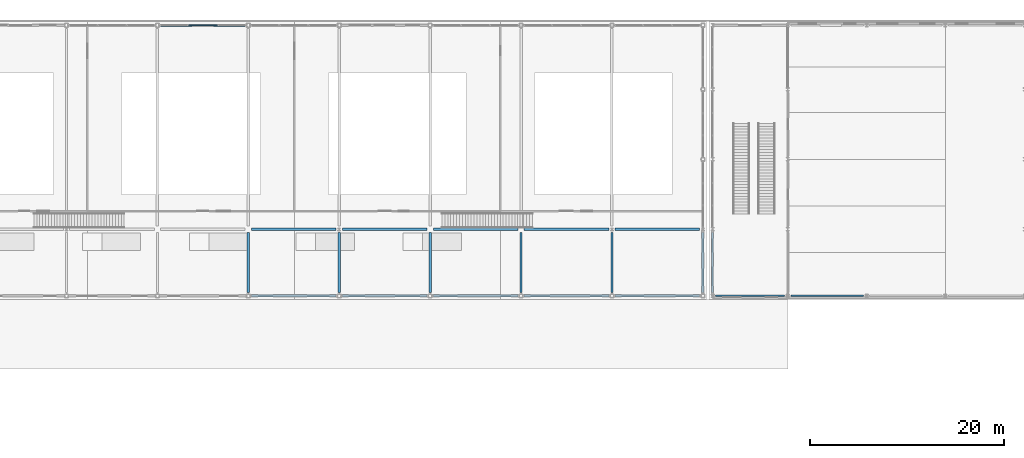
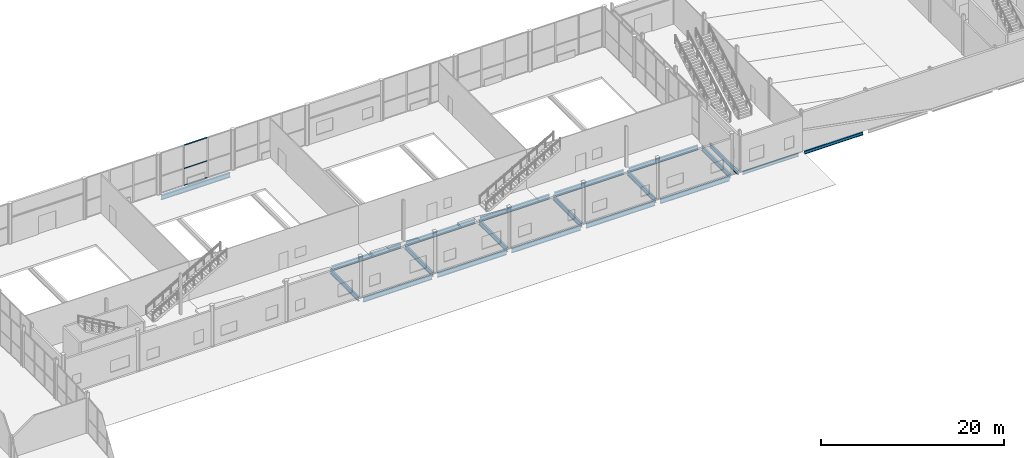
# One storey, part 42 of 83: 20 beams, 3 members, 1 element without a shape of its own.
"""IFC4 building model written with IfcOpenShell, lengths in metres."""

from ifc_helpers import new_model, si_unit, direction, frame, origin, origin_2d, place, context, subcontext, project, spatial, hollow_rectangle, i_section, extrude, material, layer, layer_set, material_profile, profile_set, type_object, element, aggregate, save


model = new_model("IFC4")

# Units and contexts
model_context = context("Model", 3, precision=1e-05, world=origin(), true_north=direction((0.0, 1.0)))
body_context = subcontext(model_context, "Body", "Model", "MODEL_VIEW")
ifc_project = project(units=[si_unit("LENGTHUNIT", "METRE"), si_unit("AREAUNIT", "SQUARE_METRE"), si_unit("VOLUMEUNIT", "CUBIC_METRE"), si_unit("PLANEANGLEUNIT", "RADIAN"), si_unit("MASSUNIT", "GRAM", prefix="KILO")], contexts=[model_context])

# Site, building, storey
site_placement = place(None, origin())
site = spatial("IfcSite", under=ifc_project, at=site_placement, CompositionType="ELEMENT")
building_placement = place(site_placement, origin())
building = spatial("IfcBuilding", under=site, at=building_placement, Name="Quillay Park Conservatory", CompositionType="ELEMENT")
storey_placement = place(building_placement, origin())
storey = spatial("IfcBuildingStorey", under=building, at=storey_placement, Name="L00", CompositionType="ELEMENT", Elevation=0.0)

# Curtain wall, members
ifc_material_1 = material(Name="Thermally Broken Anodised Aluminium 6063-T6", Category="aluminium")
ifc_layer = layer(ifc_material_1, 0.219970703125)
ifc_layer_set = layer_set([ifc_layer], Name="UNITISED CURTAIN WALL CONSERVATORY (Thermally Broken Anodised Aluminium 6063-T6)")
curtain_wall_type = type_object("IfcCurtainWallType", Name="UNITISED CURTAIN WALL CONSERVATORY", PredefinedType="USERDEFINED", material=ifc_layer_set)
curtain_wall_placement = place(storey_placement, origin())
curtain_wall = element("IfcCurtainWall", 1, at=curtain_wall_placement, inside=storey, type_object=curtain_wall_type, Name="L00 Unitised Curtain Wall 152", ObjectType="UNITISED CURTAIN WALL", PredefinedType="USERDEFINED")
ifc_material_2 = material(Name="Thermally Broken Anodised Aluminium 6063-T6", Category="aluminium")
ifc_material_profile_1 = material_profile(ifc_material_2, hollow_rectangle(XDim=0.070068359375, YDim=0.1298828125, WallThickness=0.003173828125, at=origin_2d()), Name="AL70x130x3.2")
ifc_profile_set_1 = profile_set([ifc_material_profile_1], Name="Thermally Broken Anodised Aluminium 6063-T6")
member_type = type_object("IfcMemberType", Name="CURTAIN WALL TRANSOM 70 X130", PredefinedType="USERDEFINED", material=ifc_profile_set_1)
member_1_placement = place(storey_placement, frame((61.9375, 113.39990234375, 0.034912109375), z_axis=(1.0, 0.0, 0.0), x_axis=(0.0, 1.0, 0.0)))
member_1 = element("IfcMember", 2, at=member_1_placement, type_object=member_type, Name="CW-C1 transom 2.1", ObjectType="TRANSOM", PredefinedType="USERDEFINED", context=body_context, shape_type="SweptSolid", body=[
    extrude(hollow_rectangle(XDim=0.070068359375, YDim=0.1298828125, WallThickness=0.003173828125, at=origin_2d()), origin(), (0.0, 0.0, 1.0), 2.913818359375),
])
member_2_placement = place(storey_placement, frame((61.9375, 113.39990234375, 2.26806640625), z_axis=(1.0, 0.0, 0.0), x_axis=(0.0, 1.0, 0.0)))
member_2 = element("IfcMember", 3, at=member_2_placement, type_object=member_type, Name="CW-C1 transom 2.2", ObjectType="TRANSOM", PredefinedType="USERDEFINED", context=body_context, shape_type="SweptSolid", body=[
    extrude(hollow_rectangle(XDim=0.070068359375, YDim=0.1298828125, WallThickness=0.003173828125, at=origin_2d()), origin(), (0.0, 0.0, 1.0), 2.913818359375),
])
member_3_placement = place(storey_placement, frame((61.9375, 113.39990234375, 5.364990234375), z_axis=(1.0, 0.0, 0.0), x_axis=(0.0, 1.0, 0.0)))
member_3 = element("IfcMember", 4, at=member_3_placement, type_object=member_type, Name="CW-C1 transom 2.3", ObjectType="TRANSOM", PredefinedType="USERDEFINED", context=body_context, shape_type="SweptSolid", body=[
    extrude(hollow_rectangle(XDim=0.070068359375, YDim=0.1298828125, WallThickness=0.003173828125, at=origin_2d()), origin(), (0.0, 0.0, 1.0), 2.913818359375),
])
aggregate(curtain_wall, [member_1, member_2, member_3])

# Beams
ifc_material_3 = material(Name="Steel ASTM A992 Grade 50", Category="steel")
ifc_material_profile_2 = material_profile(ifc_material_3, i_section(OverallWidth=0.179931640625, OverallDepth=0.4130859375, WebThickness=0.009765625, FlangeThickness=0.01611328125, FilletRadius=0.011962890625, at=origin_2d()), Name="W410x74")
ifc_profile_set_2 = profile_set([ifc_material_profile_2], Name="Steel ASTM A992 Grade 50")
beam_type_1 = type_object("IfcBeamType", Name="PERIMETER SPANDREL BEAM W410 X74", PredefinedType="SPANDREL", material=ifc_profile_set_2)
beam_1_placement = place(storey_placement, frame((116.175048828125, 85.550048828125, -0.45654296875), z_axis=(1.0, 0.0, 0.0), x_axis=(0.0, 1.0, 0.0)))
element("IfcBeam", 5, at=beam_1_placement, inside=storey, type_object=beam_type_1, Name="L00 beam BM-V2P-1668", PredefinedType="SPANDREL", context=body_context, shape_type="SweptSolid", body=[
    extrude(i_section(OverallWidth=0.179931640625, OverallDepth=0.4130859375, WebThickness=0.009765625, FlangeThickness=0.01611328125, FilletRadius=0.011962890625, at=origin_2d()), origin(), (0.0, 0.0, 1.0), 7.099853515625),
])
beam_2_placement = place(storey_placement, frame((123.925048828125, 85.550048828125, -0.45654296875), z_axis=(1.0, 0.0, 0.0), x_axis=(0.0, 1.0, 0.0)))
element("IfcBeam", 6, at=beam_2_placement, inside=storey, type_object=beam_type_1, Name="L00 beam BM-V2P-1669", PredefinedType="SPANDREL", context=body_context, shape_type="SweptSolid", body=[
    extrude(i_section(OverallWidth=0.179931640625, OverallDepth=0.4130859375, WebThickness=0.009765625, FlangeThickness=0.01611328125, FilletRadius=0.011962890625, at=origin_2d()), origin(), (0.0, 0.0, 1.0), 7.449951171875),
])
ifc_material_4 = material(Name="Steel ASTM A992 Grade 50", Category="steel")
ifc_material_profile_3 = material_profile(ifc_material_4, i_section(OverallWidth=0.2109375, OverallDepth=0.5390625, WebThickness=0.01171875, FlangeThickness=0.018798828125, FilletRadius=0.013916015625, at=origin_2d()), Name="W530x109")
ifc_profile_set_3 = profile_set([ifc_material_profile_3], Name="Steel ASTM A992 Grade 50")
beam_type_2 = type_object("IfcBeamType", Name="PRIMARY FLOOR GIRDER W530 X109", PredefinedType="BEAM", material=ifc_profile_set_3)
beam_3_placement = place(storey_placement, frame((115.85009765625, 85.875, -0.51953125), z_axis=(0.0, 1.0, 0.0), x_axis=(-1.0, 0.0, 0.0)))
element("IfcBeam", 7, at=beam_3_placement, inside=storey, type_object=beam_type_2, Name="L00 beam BM-V2Y-1680", PredefinedType="BEAM", context=body_context, shape_type="SweptSolid", body=[
    extrude(i_section(OverallWidth=0.2109375, OverallDepth=0.5390625, WebThickness=0.01171875, FlangeThickness=0.018798828125, FilletRadius=0.013916015625, at=origin_2d()), origin(), (0.0, 0.0, 1.0), 6.199951171875),
])
ifc_material_5 = material(Name="Steel ASTM A992 Grade 50", Category="steel")
ifc_material_profile_4 = material_profile(ifc_material_5, i_section(OverallWidth=0.22998046875, OverallDepth=0.616943359375, WebThickness=0.01318359375, FlangeThickness=0.022216796875, FilletRadius=0.014892578125, at=origin_2d()), Name="W610x140")
ifc_profile_set_4 = profile_set([ifc_material_profile_4], Name="Steel ASTM A992 Grade 50")
beam_type_3 = type_object("IfcBeamType", Name="PRIMARY FLOOR GIRDER W610 X140", PredefinedType="BEAM", material=ifc_profile_set_4)
for number, where, z_axis, x_axis, name in (
    (8, (68.397216796875, 85.550048828125, -0.58837890625), (1.0, 0.0, 0.0), (0.0, 1.0, 0.0), "L00 beam BM-V1L0-1606"),
    (9, (77.752685546875, 85.550048828125, -0.58837890625), (1.0, 0.0, 0.0), (0.0, 1.0, 0.0), "L00 beam BM-V1L0-1607"),
    (10, (87.1083984375, 85.550048828125, -0.58837890625), (1.0, 0.0, 0.0), (0.0, 1.0, 0.0), "L00 beam BM-V1L0-1608"),
    (11, (96.4638671875, 85.550048828125, -0.58837890625), (1.0, 0.0, 0.0), (0.0, 1.0, 0.0), "L00 beam BM-V1L0-1609"),
    (12, (105.8193359375, 85.550048828125, -0.58837890625), (1.0, 0.0, 0.0), (0.0, 1.0, 0.0), "L00 beam BM-V1L0-1610"),
    (13, (68.397216796875, 92.39990234375, -0.58837890625), (1.0, 0.0, 0.0), (0.0, 1.0, 0.0), "L00 beam BM-V1L0-1615"),
    (14, (77.752685546875, 92.39990234375, -0.58837890625), (1.0, 0.0, 0.0), (0.0, 1.0, 0.0), "L00 beam BM-V1L0-1616"),
    (15, (87.1083984375, 92.39990234375, -0.58837890625), (1.0, 0.0, 0.0), (0.0, 1.0, 0.0), "L00 beam BM-V1L0-1617"),
    (16, (96.4638671875, 92.39990234375, -0.58837890625), (1.0, 0.0, 0.0), (0.0, 1.0, 0.0), "L00 beam BM-V1L0-1618"),
    (17, (105.8193359375, 92.39990234375, -0.58837890625), (1.0, 0.0, 0.0), (0.0, 1.0, 0.0), "L00 beam BM-V1L0-1619"),
    (18, (59.041748046875, 113.39990234375, -0.58837890625), (1.0, 0.0, 0.0), (0.0, 1.0, 0.0), "L00 beam BM-V1L0-1623"),
):
    element("IfcBeam", number, at=place(storey_placement, frame(where, z_axis=z_axis, x_axis=x_axis)), inside=storey, type_object=beam_type_3, Name=name, PredefinedType="BEAM", context=body_context, shape_type="SweptSolid", body=[
        extrude(i_section(OverallWidth=0.22998046875, OverallDepth=0.616943359375, WebThickness=0.01318359375, FlangeThickness=0.022216796875, FilletRadius=0.014892578125, at=origin_2d()), origin(), (0.0, 0.0, 1.0), 8.70556640625),
    ])
for number, where, z_axis, x_axis, name in (
    (19, (68.072265625, 85.875, -0.58837890625), (0.0, 1.0, 0.0), (-1.0, 0.0, 0.0), "L00 beam BM-V1T0-1637"),
    (20, (77.427734375, 85.875, -0.58837890625), (0.0, 1.0, 0.0), (-1.0, 0.0, 0.0), "L00 beam BM-V1T0-1639"),
    (21, (86.783203125, 85.875, -0.58837890625), (0.0, 1.0, 0.0), (-1.0, 0.0, 0.0), "L00 beam BM-V1T0-1641"),
    (22, (96.138916015625, 85.875, -0.58837890625), (0.0, 1.0, 0.0), (-1.0, 0.0, 0.0), "L00 beam BM-V1T0-1643"),
    (23, (105.494384765625, 85.875, -0.58837890625), (0.0, 1.0, 0.0), (-1.0, 0.0, 0.0), "L00 beam BM-V1T0-1645"),
    (24, (114.85009765625, 85.875, -0.58837890625), (0.0, 1.0, 0.0), (-1.0, 0.0, 0.0), "L00 beam BM-V1T0-1647"),
):
    element("IfcBeam", number, at=place(storey_placement, frame(where, z_axis=z_axis, x_axis=x_axis)), inside=storey, type_object=beam_type_3, Name=name, PredefinedType="BEAM", context=body_context, shape_type="SweptSolid", body=[
        extrude(i_section(OverallWidth=0.22998046875, OverallDepth=0.616943359375, WebThickness=0.01318359375, FlangeThickness=0.022216796875, FilletRadius=0.014892578125, at=origin_2d()), origin(), (0.0, 0.0, 1.0), 6.199951171875),
    ])

save(model, "model.ifc")
